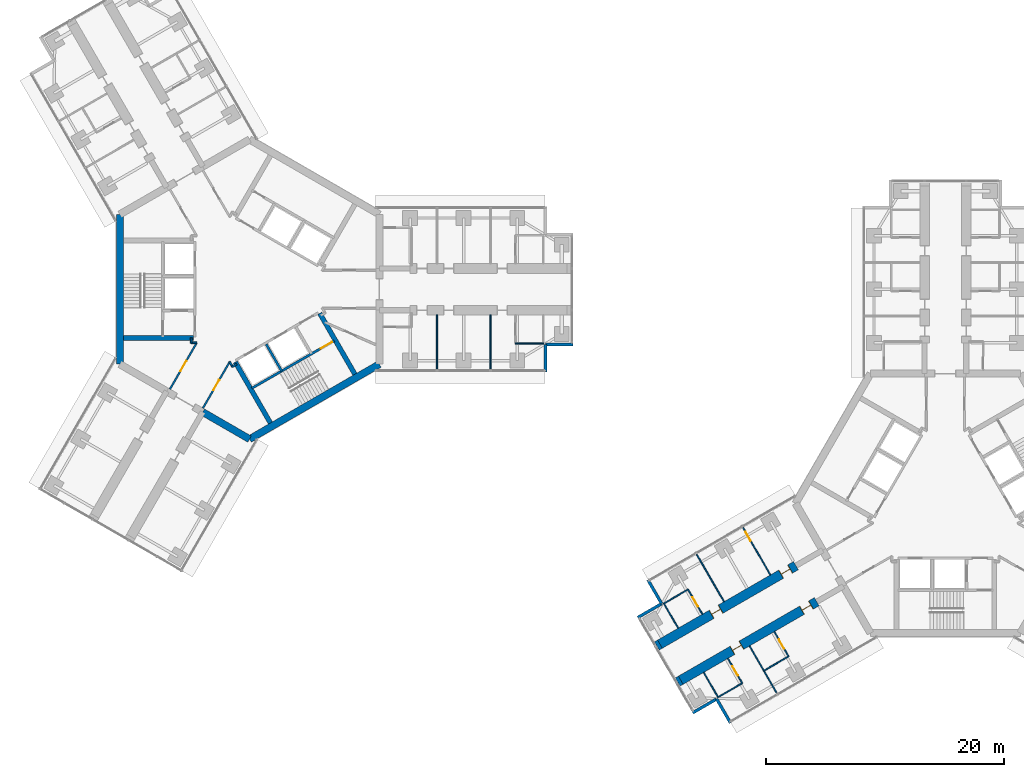
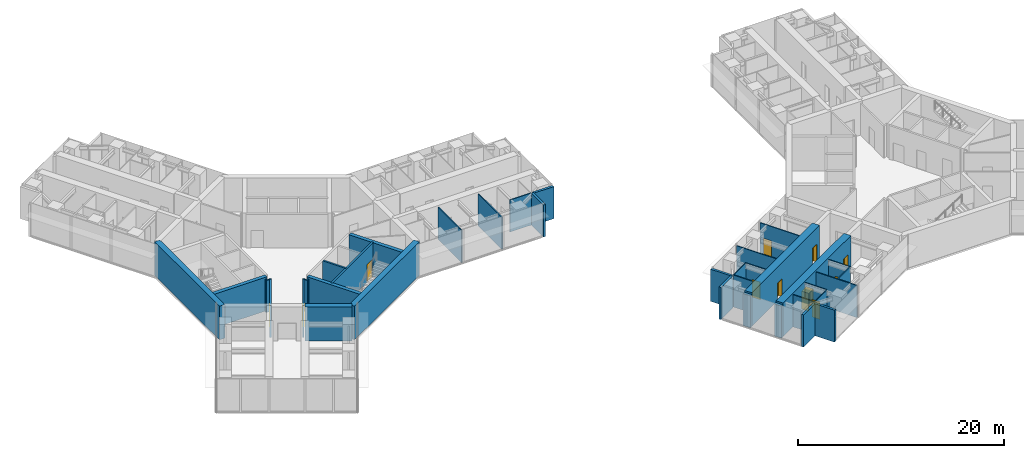
# One storey, part 15 of 23: 38 walls, 11 doors, 11 openings.
"""IFC4 building model written with IfcOpenShell, lengths in metres."""

from ifc_helpers import new_model, si_unit, direction, frame, frame_2d, origin, place, context, subcontext, project, spatial, rectangle, extrude, material, layer, layer_set, type_object, element, fill, save


model = new_model("IFC4")

# Units and contexts
model_context = context("Model", 3, precision=1e-05, world=origin(), true_north=direction((0.0, 1.0)))
body_context = subcontext(model_context, "Body", "Model", "MODEL_VIEW")
ifc_project = project(units=[si_unit("LENGTHUNIT", "METRE"), si_unit("AREAUNIT", "SQUARE_METRE"), si_unit("VOLUMEUNIT", "CUBIC_METRE"), si_unit("PLANEANGLEUNIT", "RADIAN"), si_unit("MASSUNIT", "GRAM", prefix="KILO")], contexts=[model_context])

# Site, building, storey
site_placement = place(None, origin())
site = spatial("IfcSite", under=ifc_project, at=site_placement, CompositionType="ELEMENT")
building_placement = place(site_placement, origin())
building = spatial("IfcBuilding", under=site, at=building_placement, Name="Upepo Twin Towers", CompositionType="ELEMENT")
storey_placement = place(building_placement, frame((0.0, 0.0, 153.5)))
storey = spatial("IfcBuildingStorey", under=building, at=storey_placement, Name="L37", CompositionType="ELEMENT", Elevation=153.5)

# Walls
ifc_material_1 = material(Name="Dense concrete blockwork", Category="masonry")
ifc_layer_1 = layer(ifc_material_1, 0.800048828125)
ifc_layer_set_1 = layer_set([ifc_layer_1], Name="Buttress closer 800, blockwork with fire-stopping to the curtain wall")
wall_type_1 = type_object("IfcWallType", Name="Buttress closer 800, blockwork with fire-stopping to the curtain wall", PredefinedType="PARTITIONING", material=ifc_layer_set_1)
wall_1_placement = place(storey_placement, frame((36.252197265625, -32.865478515625, 0.0), z_axis=(0.0, 0.0, 1.0), x_axis=(-0.865778900179, -0.500426713919, 0.0)))
element("IfcWall", 1, at=wall_1_placement, inside=storey, type_object=wall_type_1, Name="T2 L37 wing B buttress closer L", PredefinedType="PARTITIONING", context=body_context, shape_type="SweptSolid", body=[
    extrude(rectangle(XDim=0.300048828125, YDim=0.800048828125, at=frame_2d((0.14990234375, 0.0))), origin(), (0.0, 0.0, 1.0), 3.800048828125),
])
wall_2_placement = place(storey_placement, frame((34.502197265625, -29.83447265625, 0.0), z_axis=(0.0, 0.0, 1.0), x_axis=(-0.866131372301, -0.499816412211, 0.0)))
element("IfcWall", 2, at=wall_2_placement, inside=storey, type_object=wall_type_1, Name="T2 L37 wing B buttress closer R", PredefinedType="PARTITIONING", context=body_context, shape_type="SweptSolid", body=[
    extrude(rectangle(XDim=0.2998046875, YDim=0.800048828125, at=frame_2d((0.14990234375, 0.0))), origin(), (0.0, 0.0, 1.0), 3.800048828125),
])

# Wall, openings, doors
ifc_material_2 = material(Name="Concrete C60/75", Category="concrete")
ifc_layer_2 = layer(ifc_material_2, 0.800048828125)
ifc_layer_set_2 = layer_set([ifc_layer_2], Name="Concrete C60/75")
wall_type_2 = type_object("IfcWallType", Name="Buttress wall 800 RC", PredefinedType="SHEAR", material=ifc_layer_set_2)
wall_3_placement = place(storey_placement, frame((47.68359375, -26.265625, 0.0), z_axis=(0.0, 0.0, 1.0), x_axis=(-0.866027579429, -0.499996231654, 0.0)))
wall_3 = element("IfcWall", 3, at=wall_3_placement, inside=storey, type_object=wall_type_2, Name="T2 wing B buttress wall L part 2", PredefinedType="SHEAR", context=body_context, shape_type="SweptSolid", body=[
    extrude(rectangle(XDim=13.19970703125, YDim=0.800048828125, at=frame_2d((6.599853515625, 0.0))), origin(), (0.0, 0.0, 1.0), 4.0),
])
opening_1_placement = place(wall_3_placement, frame((0.550048828125, 0.0, 0.0)))
opening_1 = element("IfcOpeningElement", 4, at=opening_1_placement, cuts=wall_3, Name="Opening D14", PredefinedType="OPENING", context=body_context, shape_type="SweptSolid", body=[
    extrude(rectangle(XDim=0.89990234375, YDim=2.10009765625, at=frame_2d((0.449951171875, 1.050048828125))), frame((0.0, 0.409912109375, 0.0), z_axis=(0.0, -1.0, 0.0), x_axis=(1.0, 0.0, 0.0)), (0.0, 0.0, 1.0), 0.820068359375),
])
opening_2_placement = place(wall_3_placement, frame((7.300048828125, 0.0, 0.0)))
opening_2 = element("IfcOpeningElement", 5, at=opening_2_placement, cuts=wall_3, Name="Opening D14", PredefinedType="OPENING", context=body_context, shape_type="SweptSolid", body=[
    extrude(rectangle(XDim=0.89990234375, YDim=2.10009765625, at=frame_2d((0.449951171875, 1.050048828125))), frame((0.0, 0.409912109375, 0.0), z_axis=(0.0, -1.0, 0.0), x_axis=(1.0, 0.0, 0.0)), (0.0, 0.0, 1.0), 0.820068359375),
])
ifc_material_3 = material(Name="Timber doorset", Category="wood")
door_type_1 = type_object("IfcDoorType", Name="Office door 900 FD30", OperationType="SINGLE_SWING_LEFT", PredefinedType="DOOR", material=ifc_material_3)
door_1_placement = place(opening_1_placement, origin())
door_1 = element("IfcDoor", 6, at=door_1_placement, inside=storey, type_object=door_type_1, Name="T2 L37 law clinic door", OperationType="SINGLE_SWING_LEFT", OverallHeight=2.10009765625, OverallWidth=0.89990234375, PredefinedType="DOOR", context=body_context, shape_type="SweptSolid", body=[
    extrude(rectangle(XDim=0.81990234375, YDim=2.06009765625, at=frame_2d((0.449951171875, 1.030029296875))), frame((0.0, 0.02490234375, 0.0), z_axis=(0.0, -1.0, 0.0), x_axis=(1.0, 0.0, 0.0)), (0.0, 0.0, 1.0), 0.050048828125),
    extrude(rectangle(XDim=0.04, YDim=2.10009765625, at=frame_2d((0.02001953125, 1.050048828125))), frame((0.0, 0.39990234375, 0.0), z_axis=(0.0, -1.0, 0.0), x_axis=(1.0, 0.0, 0.0)), (0.0, 0.0, 1.0), 0.799560546875),
    extrude(rectangle(XDim=0.04, YDim=2.10009765625, at=frame_2d((0.8798828125, 1.050048828125))), frame((0.0, 0.39990234375, 0.0), z_axis=(0.0, -1.0, 0.0), x_axis=(1.0, 0.0, 0.0)), (0.0, 0.0, 1.0), 0.799560546875),
    extrude(rectangle(XDim=0.81990234375, YDim=0.04, at=frame_2d((0.449951171875, 2.080078125))), frame((0.0, 0.39990234375, 0.0), z_axis=(0.0, -1.0, 0.0), x_axis=(1.0, 0.0, 0.0)), (0.0, 0.0, 1.0), 0.799560546875),
])
fill(opening_1, door_1)
door_2_placement = place(opening_2_placement, origin())
door_2 = element("IfcDoor", 7, at=door_2_placement, inside=storey, type_object=door_type_1, Name="T2 L37 staff office door", OperationType="SINGLE_SWING_RIGHT", OverallHeight=2.10009765625, OverallWidth=0.89990234375, PredefinedType="DOOR", context=body_context, shape_type="SweptSolid", body=[
    extrude(rectangle(XDim=0.81990234375, YDim=2.06009765625, at=frame_2d((0.449951171875, 1.030029296875))), frame((0.0, 0.02490234375, 0.0), z_axis=(0.0, -1.0, 0.0), x_axis=(1.0, 0.0, 0.0)), (0.0, 0.0, 1.0), 0.050048828125),
    extrude(rectangle(XDim=0.04, YDim=2.10009765625, at=frame_2d((0.02001953125, 1.050048828125))), frame((0.0, 0.39990234375, 0.0), z_axis=(0.0, -1.0, 0.0), x_axis=(1.0, 0.0, 0.0)), (0.0, 0.0, 1.0), 0.799560546875),
    extrude(rectangle(XDim=0.04, YDim=2.10009765625, at=frame_2d((0.8798828125, 1.050048828125))), frame((0.0, 0.39990234375, 0.0), z_axis=(0.0, -1.0, 0.0), x_axis=(1.0, 0.0, 0.0)), (0.0, 0.0, 1.0), 0.799560546875),
    extrude(rectangle(XDim=0.81990234375, YDim=0.04, at=frame_2d((0.449951171875, 2.080078125))), frame((0.0, 0.39990234375, 0.0), z_axis=(0.0, -1.0, 0.0), x_axis=(1.0, 0.0, 0.0)), (0.0, 0.0, 1.0), 0.799560546875),
])
fill(opening_2, door_2)

wall_4_placement = place(storey_placement, frame((45.93359375, -23.234375, 0.0), z_axis=(0.0, 0.0, 1.0), x_axis=(-0.866019570528, -0.500010103361, 0.0)))
wall_4 = element("IfcWall", 8, at=wall_4_placement, inside=storey, type_object=wall_type_2, Name="T2 wing B buttress wall R part 2", PredefinedType="SHEAR", context=body_context, shape_type="SweptSolid", body=[
    extrude(rectangle(XDim=13.199951171875, YDim=0.800048828125, at=frame_2d((6.60009765625, 0.0))), origin(), (0.0, 0.0, 1.0), 4.0),
])
opening_3_placement = place(wall_4_placement, frame((0.550048828125, 0.0, 0.0)))
opening_3 = element("IfcOpeningElement", 9, at=opening_3_placement, cuts=wall_4, Name="Opening D14", PredefinedType="OPENING", context=body_context, shape_type="SweptSolid", body=[
    extrude(rectangle(XDim=0.89990234375, YDim=2.10009765625, at=frame_2d((0.449951171875, 1.050048828125))), frame((0.0, 0.409912109375, 0.0), z_axis=(0.0, -1.0, 0.0), x_axis=(1.0, 0.0, 0.0)), (0.0, 0.0, 1.0), 0.820068359375),
])
opening_4_placement = place(wall_4_placement, frame((7.300048828125, 0.0, 0.0)))
opening_4 = element("IfcOpeningElement", 10, at=opening_4_placement, cuts=wall_4, Name="Opening D14", PredefinedType="OPENING", context=body_context, shape_type="SweptSolid", body=[
    extrude(rectangle(XDim=0.89990234375, YDim=2.10009765625, at=frame_2d((0.449951171875, 1.050048828125))), frame((0.0, 0.409912109375, 0.0), z_axis=(0.0, -1.0, 0.0), x_axis=(1.0, 0.0, 0.0)), (0.0, 0.0, 1.0), 0.820068359375),
])
door_3_placement = place(opening_3_placement, origin())
door_3 = element("IfcDoor", 11, at=door_3_placement, inside=storey, type_object=door_type_1, Name="T2 L37 meeting room door", OperationType="SINGLE_SWING_LEFT", OverallHeight=2.10009765625, OverallWidth=0.89990234375, PredefinedType="DOOR", context=body_context, shape_type="SweptSolid", body=[
    extrude(rectangle(XDim=0.81990234375, YDim=2.06009765625, at=frame_2d((0.449951171875, 1.030029296875))), frame((0.0, 0.02490234375, 0.0), z_axis=(0.0, -1.0, 0.0), x_axis=(1.0, 0.0, 0.0)), (0.0, 0.0, 1.0), 0.050048828125),
    extrude(rectangle(XDim=0.04, YDim=2.10009765625, at=frame_2d((0.02001953125, 1.050048828125))), frame((0.0, 0.39990234375, 0.0), z_axis=(0.0, -1.0, 0.0), x_axis=(1.0, 0.0, 0.0)), (0.0, 0.0, 1.0), 0.799560546875),
    extrude(rectangle(XDim=0.04, YDim=2.10009765625, at=frame_2d((0.8798828125, 1.050048828125))), frame((0.0, 0.39990234375, 0.0), z_axis=(0.0, -1.0, 0.0), x_axis=(1.0, 0.0, 0.0)), (0.0, 0.0, 1.0), 0.799560546875),
    extrude(rectangle(XDim=0.81990234375, YDim=0.04, at=frame_2d((0.449951171875, 2.080078125))), frame((0.0, 0.39990234375, 0.0), z_axis=(0.0, -1.0, 0.0), x_axis=(1.0, 0.0, 0.0)), (0.0, 0.0, 1.0), 0.799560546875),
])
fill(opening_3, door_3)
door_4_placement = place(opening_4_placement, origin())
door_4 = element("IfcDoor", 12, at=door_4_placement, inside=storey, type_object=door_type_1, Name="T2 L37 postgraduate office door", OperationType="SINGLE_SWING_RIGHT", OverallHeight=2.10009765625, OverallWidth=0.89990234375, PredefinedType="DOOR", context=body_context, shape_type="SweptSolid", body=[
    extrude(rectangle(XDim=0.81990234375, YDim=2.06009765625, at=frame_2d((0.449951171875, 1.030029296875))), frame((0.0, 0.02490234375, 0.0), z_axis=(0.0, -1.0, 0.0), x_axis=(1.0, 0.0, 0.0)), (0.0, 0.0, 1.0), 0.050048828125),
    extrude(rectangle(XDim=0.04, YDim=2.10009765625, at=frame_2d((0.02001953125, 1.050048828125))), frame((0.0, 0.39990234375, 0.0), z_axis=(0.0, -1.0, 0.0), x_axis=(1.0, 0.0, 0.0)), (0.0, 0.0, 1.0), 0.799560546875),
    extrude(rectangle(XDim=0.04, YDim=2.10009765625, at=frame_2d((0.8798828125, 1.050048828125))), frame((0.0, 0.39990234375, 0.0), z_axis=(0.0, -1.0, 0.0), x_axis=(1.0, 0.0, 0.0)), (0.0, 0.0, 1.0), 0.799560546875),
    extrude(rectangle(XDim=0.81990234375, YDim=0.04, at=frame_2d((0.449951171875, 2.080078125))), frame((0.0, 0.39990234375, 0.0), z_axis=(0.0, -1.0, 0.0), x_axis=(1.0, 0.0, 0.0)), (0.0, 0.0, 1.0), 0.799560546875),
])
fill(opening_4, door_4)

# Walls
ifc_material_4 = material(Name="Concrete C60/75", Category="concrete")
ifc_layer_3 = layer(ifc_material_4, 0.60009765625)
ifc_layer_set_3 = layer_set([ifc_layer_3], Name="Concrete C60/75")
wall_type_3 = type_object("IfcWallType", Name="Core wall 600 RC", PredefinedType="SHEAR", material=ifc_layer_set_3)
wall_5_placement = place(storey_placement, frame((-10.908447265625, 6.2978515625, 0.0), z_axis=(0.0, 0.0, 1.0), x_axis=(0.0, -1.0, 0.0)))
element("IfcWall", 13, at=wall_5_placement, inside=storey, type_object=wall_type_3, Name="T1 core wall 180", PredefinedType="SHEAR", context=body_context, shape_type="SweptSolid", body=[
    extrude(rectangle(XDim=12.595703125, YDim=0.60009765625, at=frame_2d((6.2978515625, 0.0))), origin(), (0.0, 0.0, 1.0), 4.0),
])
wall_6_placement = place(storey_placement, frame((-3.938720703125, -10.32177734375, 0.0), z_axis=(0.0, 0.0, 1.0), x_axis=(0.866011268655, -0.500024481964, 0.0)))
element("IfcWall", 14, at=wall_6_placement, inside=storey, type_object=wall_type_3, Name="T1 core wall 240 L", PredefinedType="SHEAR", context=body_context, shape_type="SweptSolid", body=[
    extrude(rectangle(XDim=4.548095703125, YDim=0.60009765625, at=frame_2d((2.27392578125, 0.0))), origin(), (0.0, 0.0, 1.0), 4.0),
])
wall_7_placement = place(storey_placement, frame((0.0, -12.595947265625, 0.0), z_axis=(0.0, 0.0, 1.0), x_axis=(0.866021940709, 0.500005998175, 0.0)))
element("IfcWall", 15, at=wall_7_placement, inside=storey, type_object=wall_type_3, Name="T1 core wall 300", PredefinedType="SHEAR", context=body_context, shape_type="SweptSolid", body=[
    extrude(rectangle(XDim=12.595947265625, YDim=0.60009765625, at=frame_2d((6.2978515625, 0.0))), origin(), (0.0, 0.0, 1.0), 4.0),
])
ifc_material_5 = material(Name="Blockwork with anodised aluminium cladding", Category="masonry")
ifc_layer_4 = layer(ifc_material_5, 0.25)
ifc_layer_set_4 = layer_set([ifc_layer_4], Name="Notch cladding wall 250, pale metal")
wall_type_4 = type_object("IfcWallType", Name="Notch cladding wall 250, pale metal", PredefinedType="STANDARD", material=ifc_layer_set_4)
for number, where, z_axis, x_axis, name in (
    (16, (24.875, -6.949951171875, 0.0), (0.0, 0.0, 1.0), (0.0, 1.0, 0.0), "T1 L37 wing A notch wall R1"),
    (17, (24.875, -4.625, 0.0), (0.0, 0.0, 1.0), (1.0, 0.0, 0.0), "T1 L37 wing A notch wall R2"),
    (18, (40.4326171875, -36.456298828125, 0.0), (0.0, 0.0, 1.0), (-0.500046648681, 0.865998469481, 0.0), "T2 L37 wing B notch wall L1"),
    (19, (39.27001953125, -34.44287109375, 0.0), (0.0, 0.0, 1.0), (-0.865998469481, -0.500046648681, 0.0), "T2 L37 wing B notch wall L2"),
    (20, (33.482666015625, -24.418701171875, 0.0), (0.0, 0.0, 1.0), (0.499967891604, -0.866043940782, 0.0), "T2 L37 wing B notch wall R1"),
    (21, (34.64501953125, -26.43212890625, 0.0), (0.0, 0.0, 1.0), (-0.865998469481, -0.500046648681, 0.0), "T2 L37 wing B notch wall R2"),
):
    element("IfcWall", number, at=place(storey_placement, frame(where, z_axis=z_axis, x_axis=x_axis)), inside=storey, type_object=wall_type_4, Name=name, PredefinedType="STANDARD", context=body_context, shape_type="SweptSolid", body=[
        extrude(rectangle(XDim=2.324951171875, YDim=0.25, at=frame_2d((1.16259765625, 0.0))), origin(), (0.0, 0.0, 1.0), 3.800048828125),
    ])
ifc_material_6 = material(Name="Gypsum board on steel studs", Category="steel")
ifc_layer_5 = layer(ifc_material_6, 0.10009765625)
ifc_layer_set_5 = layer_set([ifc_layer_5], Name="Office partition 100 stud")
wall_type_5 = type_object("IfcWallType", Name="Office partition 100 stud", PredefinedType="PARTITIONING", material=ifc_layer_set_5)
for number, where, z_axis, x_axis, name in (
    (22, (15.75, -2.14990234375, 0.0), (0.0, 0.0, 1.0), (0.0, -1.0, 0.0), "T1 partition AR at 15.75"),
    (23, (20.25, -2.14990234375, 0.0), (0.0, 0.0, 1.0), (0.0, -1.0, 0.0), "T1 partition AR at 20.25"),
):
    element("IfcWall", number, at=place(storey_placement, frame(where, z_axis=z_axis, x_axis=x_axis)), inside=storey, type_object=wall_type_5, Name=name, PredefinedType="PARTITIONING", context=body_context, shape_type="SweptSolid", body=[
        extrude(rectangle(XDim=4.60009765625, YDim=0.10009765625, at=frame_2d((2.300048828125, 0.0))), origin(), (0.0, 0.0, 1.0), 3.800048828125),
    ])
wall_8_placement = place(storey_placement, frame((22.35009765625, -4.550048828125, 0.0), z_axis=(0.0, 0.0, 1.0), x_axis=(1.0, 0.0, 0.0)))
element("IfcWall", 24, at=wall_8_placement, inside=storey, type_object=wall_type_5, Name="T1 inner room partition AR at 22.35", PredefinedType="PARTITIONING", context=body_context, shape_type="SweptSolid", body=[
    extrude(rectangle(XDim=2.39990234375, YDim=0.10009765625, at=frame_2d((1.199951171875, 0.0))), origin(), (0.0, 0.0, 1.0), 3.800048828125),
])
wall_9_placement = place(storey_placement, frame((42.0380859375, -29.987060546875, 0.0), z_axis=(0.0, 0.0, 1.0), x_axis=(0.499975146636, -0.866039752405, 0.0)))
element("IfcWall", 25, at=wall_9_placement, inside=storey, type_object=wall_type_5, Name="T2 partition BL at 20.25", PredefinedType="PARTITIONING", context=body_context, shape_type="SweptSolid", body=[
    extrude(rectangle(XDim=4.599853515625, YDim=0.10009765625, at=frame_2d((2.2998046875, 0.0))), origin(), (0.0, 0.0, 1.0), 3.800048828125),
])
wall_10_placement = place(storey_placement, frame((45.31640625, -30.865478515625, 0.0), z_axis=(0.0, 0.0, 1.0), x_axis=(-0.866024647952, -0.500001309137, 0.0)))
element("IfcWall", 26, at=wall_10_placement, inside=storey, type_object=wall_type_5, Name="T2 inner room partition BL at 17.85", PredefinedType="PARTITIONING", context=body_context, shape_type="SweptSolid", body=[
    extrude(rectangle(XDim=2.39990234375, YDim=0.10009765625, at=frame_2d((1.199951171875, 0.0))), origin(), (0.0, 0.0, 1.0), 3.800048828125),
])

# Wall, opening, door
wall_11_placement = place(storey_placement, frame((44.116455078125, -28.786865234375, 0.0), z_axis=(0.0, 0.0, 1.0), x_axis=(0.499957262057, -0.866050077142, 0.0)))
wall_11 = element("IfcWall", 27, at=wall_11_placement, inside=storey, type_object=wall_type_5, Name="T2 inner room partition BL end at 17.85", PredefinedType="PARTITIONING", context=body_context, shape_type="SweptSolid", body=[
    extrude(rectangle(XDim=2.400146484375, YDim=0.10009765625, at=frame_2d((1.2001953125, 0.0))), origin(), (0.0, 0.0, 1.0), 3.800048828125),
])
opening_5_placement = place(wall_11_placement, frame((0.75, 0.0, 0.0)))
opening_5 = element("IfcOpeningElement", 28, at=opening_5_placement, cuts=wall_11, Name="Opening D14", PredefinedType="OPENING", context=body_context, shape_type="SweptSolid", body=[
    extrude(rectangle(XDim=0.89990234375, YDim=2.10009765625, at=frame_2d((0.449951171875, 1.050048828125))), frame((0.0, 0.06005859375, 0.0), z_axis=(0.0, -1.0, 0.0), x_axis=(1.0, 0.0, 0.0)), (0.0, 0.0, 1.0), 0.1201171875),
])
door_5_placement = place(opening_5_placement, origin())
door_5 = element("IfcDoor", 29, at=door_5_placement, inside=storey, type_object=door_type_1, Name="T2 L37 inner room door", OperationType="SINGLE_SWING_LEFT", OverallHeight=2.10009765625, OverallWidth=0.89990234375, PredefinedType="DOOR", context=body_context, shape_type="SweptSolid", body=[
    extrude(rectangle(XDim=0.89990234375, YDim=2.10009765625, at=frame_2d((0.449951171875, 1.050048828125))), frame((0.0, 0.02490234375, 0.0), z_axis=(0.0, -1.0, 0.0), x_axis=(1.0, 0.0, 0.0)), (0.0, 0.0, 1.0), 0.050048828125),
])
fill(opening_5, door_5)

# Wall
wall_12_placement = place(storey_placement, frame((41.41943359375, -33.115478515625, 0.0), z_axis=(0.0, 0.0, 1.0), x_axis=(-0.866050077142, -0.499957262057, 0.0)))
element("IfcWall", 30, at=wall_12_placement, inside=storey, type_object=wall_type_5, Name="T2 inner room partition BL at 22.35", PredefinedType="PARTITIONING", context=body_context, shape_type="SweptSolid", body=[
    extrude(rectangle(XDim=2.400146484375, YDim=0.10009765625, at=frame_2d((1.2001953125, 0.0))), origin(), (0.0, 0.0, 1.0), 3.800048828125),
])

# Wall, opening, door
wall_13_placement = place(storey_placement, frame((40.21923828125, -31.036865234375, 0.0), z_axis=(0.0, 0.0, 1.0), x_axis=(0.500033551112, -0.866006032174, 0.0)))
wall_13 = element("IfcWall", 31, at=wall_13_placement, inside=storey, type_object=wall_type_5, Name="T2 inner room partition BL end at 22.35", PredefinedType="PARTITIONING", context=body_context, shape_type="SweptSolid", body=[
    extrude(rectangle(XDim=2.400146484375, YDim=0.10009765625, at=frame_2d((1.2001953125, 0.0))), origin(), (0.0, 0.0, 1.0), 3.800048828125),
])
opening_6_placement = place(wall_13_placement, frame((0.75, 0.0, 0.0)))
opening_6 = element("IfcOpeningElement", 32, at=opening_6_placement, cuts=wall_13, Name="Opening D14", PredefinedType="OPENING", context=body_context, shape_type="SweptSolid", body=[
    extrude(rectangle(XDim=0.89990234375, YDim=2.10009765625, at=frame_2d((0.449951171875, 1.050048828125))), frame((0.0, 0.06005859375, 0.0), z_axis=(0.0, -1.0, 0.0), x_axis=(1.0, 0.0, 0.0)), (0.0, 0.0, 1.0), 0.1201171875),
])
door_6_placement = place(opening_6_placement, origin())
door_6 = element("IfcDoor", 33, at=door_6_placement, inside=storey, type_object=door_type_1, Name="T2 L37 inner room door", OperationType="SINGLE_SWING_LEFT", OverallHeight=2.10009765625, OverallWidth=0.89990234375, PredefinedType="DOOR", context=body_context, shape_type="SweptSolid", body=[
    extrude(rectangle(XDim=0.89990234375, YDim=2.10009765625, at=frame_2d((0.449951171875, 1.050048828125))), frame((0.0, 0.02490234375, 0.0), z_axis=(0.0, -1.0, 0.0), x_axis=(1.0, 0.0, 0.0)), (0.0, 0.0, 1.0), 0.050048828125),
])
fill(opening_6, door_6)

# Wall
wall_14_placement = place(storey_placement, frame((38.18408203125, -32.2119140625, 0.0), z_axis=(0.0, 0.0, 1.0), x_axis=(0.500033551112, -0.866006032174, 0.0)))
element("IfcWall", 34, at=wall_14_placement, inside=storey, type_object=wall_type_5, Name="T2 inner room partition BL end at 24.75", PredefinedType="PARTITIONING", context=body_context, shape_type="SweptSolid", body=[
    extrude(rectangle(XDim=2.400146484375, YDim=0.10009765625, at=frame_2d((1.2001953125, 0.0))), origin(), (0.0, 0.0, 1.0), 3.800048828125),
])

# Wall, opening, door
wall_15_placement = place(storey_placement, frame((43.78515625, -24.012939453125, 0.0), z_axis=(0.0, 0.0, 1.0), x_axis=(-0.500014953309, 0.866016770315, 0.0)))
wall_15 = element("IfcWall", 35, at=wall_15_placement, inside=storey, type_object=wall_type_5, Name="T2 partition BR at 15.75", PredefinedType="PARTITIONING", context=body_context, shape_type="SweptSolid", body=[
    extrude(rectangle(XDim=4.599853515625, YDim=0.10009765625, at=frame_2d((2.2998046875, 0.0))), origin(), (0.0, 0.0, 1.0), 3.800048828125),
])
opening_7_placement = place(wall_15_placement, frame((3.300048828125, 0.0, 0.0)))
opening_7 = element("IfcOpeningElement", 36, at=opening_7_placement, cuts=wall_15, Name="Opening D14", PredefinedType="OPENING", context=body_context, shape_type="SweptSolid", body=[
    extrude(rectangle(XDim=0.89990234375, YDim=2.10009765625, at=frame_2d((0.449951171875, 1.050048828125))), frame((0.0, 0.06005859375, 0.0), z_axis=(0.0, -1.0, 0.0), x_axis=(1.0, 0.0, 0.0)), (0.0, 0.0, 1.0), 0.1201171875),
])
door_7_placement = place(opening_7_placement, origin())
door_7 = element("IfcDoor", 37, at=door_7_placement, inside=storey, type_object=door_type_1, Name="T2 L37 connecting door", OperationType="SINGLE_SWING_RIGHT", OverallHeight=2.10009765625, OverallWidth=0.89990234375, PredefinedType="DOOR", context=body_context, shape_type="SweptSolid", body=[
    extrude(rectangle(XDim=0.89990234375, YDim=2.10009765625, at=frame_2d((0.449951171875, 1.050048828125))), frame((0.0, 0.02490234375, 0.0), z_axis=(0.0, -1.0, 0.0), x_axis=(1.0, 0.0, 0.0)), (0.0, 0.0, 1.0), 0.050048828125),
])
fill(opening_7, door_7)

# Walls
wall_16_placement = place(storey_placement, frame((39.887939453125, -26.262939453125, 0.0), z_axis=(0.0, 0.0, 1.0), x_axis=(-0.500014953309, 0.866016770315, 0.0)))
element("IfcWall", 38, at=wall_16_placement, inside=storey, type_object=wall_type_5, Name="T2 partition BR at 20.25", PredefinedType="PARTITIONING", context=body_context, shape_type="SweptSolid", body=[
    extrude(rectangle(XDim=4.599853515625, YDim=0.10009765625, at=frame_2d((2.2998046875, 0.0))), origin(), (0.0, 0.0, 1.0), 3.800048828125),
])
wall_17_placement = place(storey_placement, frame((36.869384765625, -25.234619140625, 0.0), z_axis=(0.0, 0.0, 1.0), x_axis=(-0.866050077142, -0.499957262057, 0.0)))
element("IfcWall", 39, at=wall_17_placement, inside=storey, type_object=wall_type_5, Name="T2 inner room partition BR at 22.35", PredefinedType="PARTITIONING", context=body_context, shape_type="SweptSolid", body=[
    extrude(rectangle(XDim=2.400146484375, YDim=0.10009765625, at=frame_2d((1.2001953125, 0.0))), origin(), (0.0, 0.0, 1.0), 3.800048828125),
])

# Wall, opening, door
wall_18_placement = place(storey_placement, frame((38.0693359375, -27.31298828125, 0.0), z_axis=(0.0, 0.0, 1.0), x_axis=(-0.500001309137, 0.866024647952, 0.0)))
wall_18 = element("IfcWall", 40, at=wall_18_placement, inside=storey, type_object=wall_type_5, Name="T2 inner room partition BR end at 22.35", PredefinedType="PARTITIONING", context=body_context, shape_type="SweptSolid", body=[
    extrude(rectangle(XDim=2.39990234375, YDim=0.10009765625, at=frame_2d((1.199951171875, 0.0))), origin(), (0.0, 0.0, 1.0), 3.800048828125),
])
opening_8_placement = place(wall_18_placement, frame((0.75, 0.0, 0.0)))
opening_8 = element("IfcOpeningElement", 41, at=opening_8_placement, cuts=wall_18, Name="Opening D14", PredefinedType="OPENING", context=body_context, shape_type="SweptSolid", body=[
    extrude(rectangle(XDim=0.89990234375, YDim=2.10009765625, at=frame_2d((0.449951171875, 1.050048828125))), frame((0.0, 0.06005859375, 0.0), z_axis=(0.0, -1.0, 0.0), x_axis=(1.0, 0.0, 0.0)), (0.0, 0.0, 1.0), 0.1201171875),
])
door_8_placement = place(opening_8_placement, origin())
door_8 = element("IfcDoor", 42, at=door_8_placement, inside=storey, type_object=door_type_1, Name="T2 L37 inner room door", OperationType="SINGLE_SWING_LEFT", OverallHeight=2.10009765625, OverallWidth=0.89990234375, PredefinedType="DOOR", context=body_context, shape_type="SweptSolid", body=[
    extrude(rectangle(XDim=0.89990234375, YDim=2.10009765625, at=frame_2d((0.449951171875, 1.050048828125))), frame((0.0, 0.02490234375, 0.0), z_axis=(0.0, -1.0, 0.0), x_axis=(1.0, 0.0, 0.0)), (0.0, 0.0, 1.0), 0.050048828125),
])
fill(opening_8, door_8)

# Walls
wall_19_placement = place(storey_placement, frame((36.0341796875, -28.488037109375, 0.0), z_axis=(0.0, 0.0, 1.0), x_axis=(-0.500001309137, 0.866024647952, 0.0)))
element("IfcWall", 43, at=wall_19_placement, inside=storey, type_object=wall_type_5, Name="T2 inner room partition BR end at 24.75", PredefinedType="PARTITIONING", context=body_context, shape_type="SweptSolid", body=[
    extrude(rectangle(XDim=2.39990234375, YDim=0.10009765625, at=frame_2d((1.199951171875, 0.0))), origin(), (0.0, 0.0, 1.0), 3.800048828125),
])
ifc_material_7 = material(Name="Concrete C40/50", Category="concrete")
ifc_layer_6 = layer(ifc_material_7, 0.199951171875)
ifc_layer_set_6 = layer_set([ifc_layer_6], Name="Concrete C40/50")
wall_type_6 = type_object("IfcWallType", Name="Shaft wall 200 RC", PredefinedType="SHEAR", material=ifc_layer_set_6)
wall_20_placement = place(storey_placement, frame((1.3974609375, -4.620361328125, 0.0), z_axis=(0.0, 0.0, 1.0), x_axis=(0.499936506574, -0.866062058628, 0.0)))
element("IfcWall", 44, at=wall_20_placement, inside=storey, type_object=wall_type_6, Name="T1 core W300 shaft divider", PredefinedType="SHEAR", context=body_context, shape_type="SweptSolid", body=[
    extrude(rectangle(XDim=2.599853515625, YDim=0.199951171875, at=frame_2d((1.2998046875, 0.0))), origin(), (0.0, 0.0, 1.0), 4.0),
])

# Wall, opening, door
wall_21_placement = place(storey_placement, frame((0.185791015625, -8.322021484375, 0.0), z_axis=(0.0, 0.0, 1.0), x_axis=(0.866026010844, 0.49999894854, 0.0)))
wall_21 = element("IfcWall", 45, at=wall_21_placement, inside=storey, type_object=wall_type_6, Name="T1 core W300 stair wall", PredefinedType="SHEAR", context=body_context, shape_type="SweptSolid", body=[
    extrude(rectangle(XDim=8.0, YDim=0.199951171875, at=frame_2d((4.0, 0.0))), origin(), (0.0, 0.0, 1.0), 4.0),
])
opening_9_placement = place(wall_21_placement, frame((6.699951171875, 0.0, 0.0)))
opening_9 = element("IfcOpeningElement", 46, at=opening_9_placement, cuts=wall_21, Name="Opening D3", PredefinedType="OPENING", context=body_context, shape_type="SweptSolid", body=[
    extrude(rectangle(XDim=1.10009765625, YDim=2.10009765625, at=frame_2d((0.550048828125, 1.050048828125))), frame((0.0, 0.10986328125, 0.0), z_axis=(0.0, -1.0, 0.0), x_axis=(1.0, 0.0, 0.0)), (0.0, 0.0, 1.0), 0.219970703125),
])
ifc_material_8 = material(Name="Timber doorset", Category="wood")
door_type_2 = type_object("IfcDoorType", Name="Stair door 1100 FD60", OperationType="SINGLE_SWING_LEFT", PredefinedType="DOOR", material=ifc_material_8)
door_9_placement = place(opening_9_placement, origin())
door_9 = element("IfcDoor", 47, at=door_9_placement, inside=storey, type_object=door_type_2, Name="T1 L37 stair door", OperationType="SINGLE_SWING_RIGHT", OverallHeight=2.10009765625, OverallWidth=1.10009765625, PredefinedType="DOOR", context=body_context, shape_type="SweptSolid", body=[
    extrude(rectangle(XDim=1.10009765625, YDim=2.10009765625, at=frame_2d((0.550048828125, 1.050048828125))), frame((0.0, 0.02490234375, 0.0), z_axis=(0.0, -1.0, 0.0), x_axis=(1.0, 0.0, 0.0)), (0.0, 0.0, 1.0), 0.050048828125),
])
fill(opening_9, door_9)

# Walls
ifc_material_9 = material(Name="Concrete C40/50", Category="concrete")
ifc_layer_7 = layer(ifc_material_9, 0.39990234375)
ifc_layer_set_7 = layer_set([ifc_layer_7], Name="Concrete C40/50")
wall_type_7 = type_object("IfcWallType", Name="Shaft wall 400 RC", PredefinedType="SHEAR", material=ifc_layer_set_7)
for number, where, z_axis, x_axis, name in (
    (48, (-4.699951171875, -4.10009765625, 0.0), (0.0, 0.0, 1.0), (-1.0, 0.0, 0.0), "T1 core W180 side wall N"),
    (49, (5.900634765625, -2.020263671875, 0.0), (0.0, 0.0, 1.0), (0.500027676417, -0.866009424208, 0.0), "T1 core W300 side wall N"),
):
    element("IfcWall", number, at=place(storey_placement, frame(where, z_axis=z_axis, x_axis=x_axis)), inside=storey, type_object=wall_type_7, Name=name, PredefinedType="SHEAR", context=body_context, shape_type="SweptSolid", body=[
        extrude(rectangle(XDim=5.908447265625, YDim=0.39990234375, at=frame_2d((2.9541015625, 0.0))), origin(), (0.0, 0.0, 1.0), 4.0),
    ])
wall_22_placement = place(storey_placement, frame((-1.20068359375, -6.120361328125, 0.0), z_axis=(0.0, 0.0, 1.0), x_axis=(0.49999668571, -0.866027317282, 0.0)))
element("IfcWall", 50, at=wall_22_placement, inside=storey, type_object=wall_type_7, Name="T1 core W300 side wall S", PredefinedType="SHEAR", context=body_context, shape_type="SweptSolid", body=[
    extrude(rectangle(XDim=5.908203125, YDim=0.39990234375, at=frame_2d((2.9541015625, 0.0))), origin(), (0.0, 0.0, 1.0), 4.0),
])
ifc_material_10 = material(Name="Gypsum board on steel studs", Category="steel")
ifc_layer_8 = layer(ifc_material_10, 0.14990234375)
ifc_layer_set_8 = layer_set([ifc_layer_8], Name="Teaching partition 150 acoustic")
wall_type_8 = type_object("IfcWallType", Name="Teaching partition 150 acoustic", PredefinedType="PARTITIONING", material=ifc_layer_set_8)
wall_23_placement = place(storey_placement, frame((-1.092041015625, -6.28857421875, 0.0), z_axis=(0.0, 0.0, 1.0), x_axis=(-0.866138304741, -0.499804398801, 0.0)))
element("IfcWall", 51, at=wall_23_placement, inside=storey, type_object=wall_type_8, Name="T1 core room partition 2", PredefinedType="PARTITIONING", context=body_context, shape_type="SweptSolid", body=[
    extrude(rectangle(XDim=0.429931640625, YDim=0.14990234375, at=frame_2d((0.21484375, 0.0))), origin(), (0.0, 0.0, 1.0), 3.800048828125),
])
wall_24_placement = place(storey_placement, frame((-1.43701171875, -6.5107421875, 0.0), z_axis=(0.0, 0.0, 1.0), x_axis=(-0.50033519877, 0.865831790172, 0.0)))
element("IfcWall", 52, at=wall_24_placement, inside=storey, type_object=wall_type_8, Name="T1 core room partition 3", PredefinedType="PARTITIONING", context=body_context, shape_type="SweptSolid", body=[
    extrude(rectangle(XDim=0.494384765625, YDim=0.14990234375, at=frame_2d((0.2470703125, 0.0))), origin(), (0.0, 0.0, 1.0), 3.800048828125),
])

# Wall, opening, door
wall_25_placement = place(storey_placement, frame((-1.664306640625, -6.082763671875, 0.0), z_axis=(0.0, 0.0, 1.0), x_axis=(-0.500032713409, -0.866006515865, 0.0)))
wall_25 = element("IfcWall", 53, at=wall_25_placement, inside=storey, type_object=wall_type_8, Name="T1 core room partition 4", PredefinedType="PARTITIONING", context=body_context, shape_type="SweptSolid", body=[
    extrude(rectangle(XDim=4.518310546875, YDim=0.14990234375, at=frame_2d((2.25927734375, 0.0))), origin(), (0.0, 0.0, 1.0), 3.800048828125),
])
opening_10_placement = place(wall_25_placement, frame((1.769287109375, 0.0, 0.0)))
opening_10 = element("IfcOpeningElement", 54, at=opening_10_placement, cuts=wall_25, Name="Opening D1", PredefinedType="OPENING", context=body_context, shape_type="SweptSolid", body=[
    extrude(rectangle(XDim=1.0, YDim=2.10009765625, at=frame_2d((0.5, 1.050048828125))), frame((0.0, 0.0849609375, 0.0), z_axis=(0.0, -1.0, 0.0), x_axis=(1.0, 0.0, 0.0)), (0.0, 0.0, 1.0), 0.169921875),
])
ifc_material_11 = material(Name="Timber doorset", Category="wood")
door_type_3 = type_object("IfcDoorType", Name="Room door 1000 FD30", OperationType="SINGLE_SWING_LEFT", PredefinedType="DOOR", material=ifc_material_11)
door_10_placement = place(opening_10_placement, origin())
door_10 = element("IfcDoor", 55, at=door_10_placement, inside=storey, type_object=door_type_3, Name="T1 L37 core room door K2", OperationType="SINGLE_SWING_RIGHT", OverallHeight=2.10009765625, OverallWidth=1.0, PredefinedType="DOOR", context=body_context, shape_type="SweptSolid", body=[
    extrude(rectangle(XDim=1.0, YDim=2.10009765625, at=frame_2d((0.5, 1.050048828125))), frame((0.0, 0.02490234375, 0.0), z_axis=(0.0, -1.0, 0.0), x_axis=(1.0, 0.0, 0.0)), (0.0, 0.0, 1.0), 0.050048828125),
])
fill(opening_10, door_10)

wall_26_placement = place(storey_placement, frame((-6.69482421875, -8.395751953125, 0.0), z_axis=(0.0, 0.0, 1.0), x_axis=(0.500009315796, 0.86602002524, 0.0)))
wall_26 = element("IfcWall", 56, at=wall_26_placement, inside=storey, type_object=wall_type_8, Name="T1 core room partition 5", PredefinedType="PARTITIONING", context=body_context, shape_type="SweptSolid", body=[
    extrude(rectangle(XDim=4.5185546875, YDim=0.14990234375, at=frame_2d((2.25927734375, 0.0))), origin(), (0.0, 0.0, 1.0), 3.800048828125),
])
opening_11_placement = place(wall_26_placement, frame((1.7490234375, 0.0, 0.0)))
opening_11 = element("IfcOpeningElement", 57, at=opening_11_placement, cuts=wall_26, Name="Opening D1", PredefinedType="OPENING", context=body_context, shape_type="SweptSolid", body=[
    extrude(rectangle(XDim=1.0, YDim=2.10009765625, at=frame_2d((0.5, 1.050048828125))), frame((0.0, 0.0849609375, 0.0), z_axis=(0.0, -1.0, 0.0), x_axis=(1.0, 0.0, 0.0)), (0.0, 0.0, 1.0), 0.169921875),
])
door_11_placement = place(opening_11_placement, origin())
door_11 = element("IfcDoor", 58, at=door_11_placement, inside=storey, type_object=door_type_3, Name="T1 L37 core room door K1", OperationType="SINGLE_SWING_LEFT", OverallHeight=2.10009765625, OverallWidth=1.0, PredefinedType="DOOR", context=body_context, shape_type="SweptSolid", body=[
    extrude(rectangle(XDim=1.0, YDim=2.10009765625, at=frame_2d((0.5, 1.050048828125))), frame((0.0, 0.02490234375, 0.0), z_axis=(0.0, -1.0, 0.0), x_axis=(1.0, 0.0, 0.0)), (0.0, 0.0, 1.0), 0.050048828125),
])
fill(opening_11, door_11)

# Walls
wall_27_placement = place(storey_placement, frame((-4.425537109375, -4.5, 0.0), z_axis=(0.0, 0.0, 1.0), x_axis=(-1.0, 0.0, 0.0)))
element("IfcWall", 59, at=wall_27_placement, inside=storey, type_object=wall_type_8, Name="T1 core room partition 6", PredefinedType="PARTITIONING", context=body_context, shape_type="SweptSolid", body=[
    extrude(rectangle(XDim=0.494384765625, YDim=0.14990234375, at=frame_2d((0.2470703125, 0.0))), origin(), (0.0, 0.0, 1.0), 3.800048828125),
])
wall_28_placement = place(storey_placement, frame((-4.89990234375, -4.52001953125, 0.0), z_axis=(0.0, 0.0, 1.0), x_axis=(0.0, 1.0, 0.0)))
element("IfcWall", 60, at=wall_28_placement, inside=storey, type_object=wall_type_8, Name="T1 core room partition 7", PredefinedType="PARTITIONING", context=body_context, shape_type="SweptSolid", body=[
    extrude(rectangle(XDim=0.429931640625, YDim=0.14990234375, at=frame_2d((0.21484375, 0.0))), origin(), (0.0, 0.0, 1.0), 3.800048828125),
])

save(model, "model.ifc")
